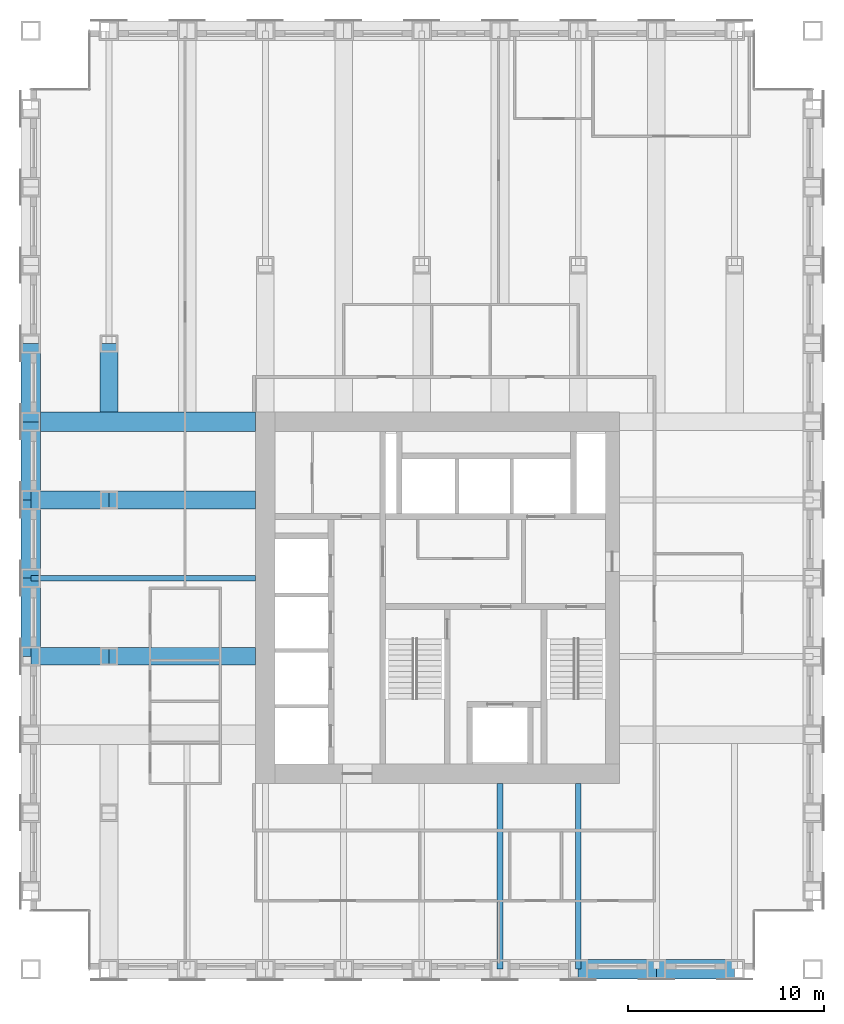
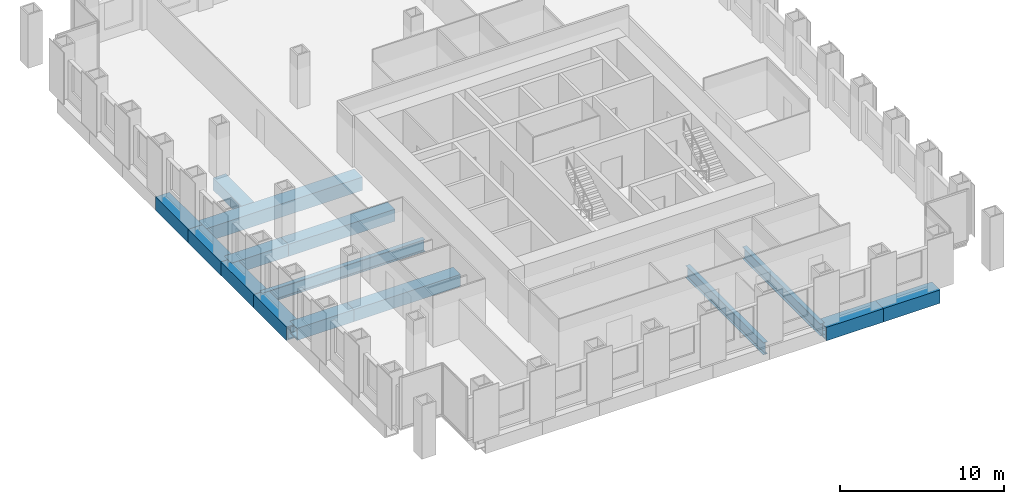
# One storey, part 3 of 13: 15 beams.
"""IFC4 building model written with IfcOpenShell, lengths in metres."""

import ifcopenshell
import ifcopenshell.guid

model = None  # the IFC model being written
_history = None  # IfcOwnerHistory: only IFC2X3 demands one
_inside = {}  # id of a spatial element -> (the spatial element, [elements in it])
_under = {}  # id of a project, library or spatial element -> (it, [spatial elements below it])
_declared = {}  # id of a project -> (the project, [libraries it declares])
_typed = {}  # id of a type object -> (the type object, [elements of that type])
_made_of = {}  # id of a material, layer set ... -> (it, [elements and type objects made of it])


def new_model(schema):
    """Start an empty IFC model of exactly this schema.

    Asked for "IFC4X3", IfcOpenShell would pick the latest addendum, in which some entities
    have other attributes; the version numbers below select the first issue.
    IFC2X3 requires an IfcOwnerHistory on every rooted entity: one is made here for all.
    """
    global model, _history
    if schema == "IFC4X3":
        model = ifcopenshell.file(schema_version=(4, 3, 0, 0))
    else:
        model = ifcopenshell.file(schema=schema)
    _inside.clear()
    _under.clear()
    _declared.clear()
    _typed.clear()
    _made_of.clear()
    _history = None
    if model.schema == "IFC2X3":
        org = make("IfcOrganization", Name="unknown")
        user = make(
            "IfcPersonAndOrganization",
            ThePerson=make("IfcPerson", FamilyName="unknown"),
            TheOrganization=org,
        )
        app = make(
            "IfcApplication",
            ApplicationDeveloper=org,
            Version="unknown",
            ApplicationFullName="unknown",
            ApplicationIdentifier="unknown",
        )
        _history = make(
            "IfcOwnerHistory",
            OwningUser=user,
            OwningApplication=app,
            ChangeAction="ADDED",
            CreationDate=0,
        )
    return model


def make(cls, **values):
    """One entity of the class cls with the attributes given. An attribute that is None is left unset."""
    return model.create_entity(
        cls, **{name: value for name, value in values.items() if value is not None}
    )


def rooted(cls, **values):
    """An entity with a GlobalId (a new one), such as an element, a storey or a relation."""
    return make(cls, GlobalId=ifcopenshell.guid.new(), OwnerHistory=_history, **values)


def si_unit(unit_type, name, prefix=None):
    """IfcSIUnit, for example si_unit("LENGTHUNIT", "METRE", prefix="MILLI")."""
    return make("IfcSIUnit", UnitType=unit_type, Prefix=prefix, Name=name)


def assignment(units):
    """IfcUnitAssignment: the units of a project."""
    return None if units is None else make("IfcUnitAssignment", Units=units)


def point(xyz):
    """IfcCartesianPoint."""
    return None if xyz is None else make("IfcCartesianPoint", Coordinates=xyz)


def direction(xyz):
    """IfcDirection."""
    return None if xyz is None else make("IfcDirection", DirectionRatios=xyz)


def frame(location, z_axis=None, x_axis=None):
    """IfcAxis2Placement3D, a coordinate frame: its origin and axes. An axis left out is left unset."""
    return make(
        "IfcAxis2Placement3D",
        Location=point(location),
        Axis=direction(z_axis),
        RefDirection=direction(x_axis),
    )


def frame_2d(location, x_axis=None):
    """IfcAxis2Placement2D, a coordinate frame in the plane: its origin and x axis."""
    return make(
        "IfcAxis2Placement2D", Location=point(location), RefDirection=direction(x_axis)
    )


def origin():
    """The frame at (0, 0, 0) with its axes left unset."""
    return frame((0.0, 0.0, 0.0))


def origin_2d():
    """The frame at (0, 0) in the plane with its x axis left unset."""
    return frame_2d((0.0, 0.0))


def place(relative_to, where):
    """IfcLocalPlacement: puts the frame where relative to a parent placement (None: the world)."""
    return make(
        "IfcLocalPlacement", PlacementRelTo=relative_to, RelativePlacement=where
    )


def context(
    kind, dimensions, precision=None, world=None, true_north=None, identifier=None
):
    """IfcGeometricRepresentationContext, for example the 3D "Model" context."""
    return make(
        "IfcGeometricRepresentationContext",
        ContextIdentifier=identifier,
        ContextType=kind,
        CoordinateSpaceDimension=dimensions,
        Precision=precision,
        WorldCoordinateSystem=world,
        TrueNorth=true_north,
    )


def subcontext(parent, identifier, kind, view, scale=None):
    """IfcGeometricRepresentationSubContext, for example "Body" below "Model"."""
    return make(
        "IfcGeometricRepresentationSubContext",
        ContextIdentifier=identifier,
        ContextType=kind,
        ParentContext=parent,
        TargetScale=scale,
        TargetView=view,
    )


def project(units=None, contexts=None):
    """IfcProject with its units and contexts."""
    return rooted(
        "IfcProject",
        Name="project",
        RepresentationContexts=contexts,
        UnitsInContext=assignment(units),
    )


def spatial(cls, under=None, at=None, **own):
    """A site, building, storey or space (cls), placed at a placement, below another one or the project."""
    s = rooted(cls, ObjectPlacement=at, **own)
    if under is not None:
        _under.setdefault(under.id(), (under, []))[1].append(s)
    return s


def profile(cls, at=None, kind="AREA", **sizes):
    """A parametric profile (cls). Its sizes go by their IFC names, for example OverallWidth=200.0."""
    return make(cls, ProfileType=kind, Position=at, **sizes)


def hollow_rectangle(**sizes):
    """IfcRectangleHollowProfileDef."""
    return profile("IfcRectangleHollowProfileDef", **sizes)


def i_section(**sizes):
    """IfcIShapeProfileDef."""
    return profile("IfcIShapeProfileDef", **sizes)


def extrude(swept, where, along, depth):
    """IfcExtrudedAreaSolid: the profile swept, set in the frame where, extruded along a direction by depth."""
    return make(
        "IfcExtrudedAreaSolid",
        SweptArea=swept,
        Position=where,
        ExtrudedDirection=direction(along),
        Depth=depth,
    )


def shape(context_of_items, identifier, shape_type, items):
    """IfcShapeRepresentation: the items that make up one representation, for example the "Body"."""
    return make(
        "IfcShapeRepresentation",
        ContextOfItems=context_of_items,
        RepresentationIdentifier=identifier,
        RepresentationType=shape_type,
        Items=items,
    )


def material(Name=None, Category=None):
    """IfcMaterial."""
    return make("IfcMaterial", Name=Name, Category=Category)


def material_profile(
    of_material, cross_section, Name=None, Category=None, Priority=None
):
    """IfcMaterialProfile: a cross section and its material."""
    return make(
        "IfcMaterialProfile",
        Name=Name,
        Material=of_material,
        Profile=cross_section,
        Priority=Priority,
        Category=Category,
    )


def profile_set(profiles, Name=None, composite=None):
    """IfcMaterialProfileSet."""
    return make(
        "IfcMaterialProfileSet",
        Name=Name,
        MaterialProfiles=profiles,
        CompositeProfile=composite,
    )


def made_of(thing, what):
    """Note that an element or type object is made of a material, layer set ...; save() writes the relation."""
    if what is not None:
        _made_of.setdefault(what.id(), (what, []))[1].append(thing)
    return thing


def type_object(cls, material=None, **own):
    """A type object (cls), such as IfcWallType, which elements share."""
    return made_of(rooted(cls, **own), material)


def element(
    cls,
    number,
    at=None,
    inside=None,
    cuts=None,
    type_object=None,
    material=None,
    context=None,
    identifier="Body",
    shape_type=None,
    held_by="IfcProductDefinitionShape",
    body=None,
    shapes=None,
    **own,
):
    """One element of the class cls, such as IfcWall. Its Tag is "e" and its number.

    at: its placement. inside: the storey or other place that contains it. cuts: it is an
    opening in that element (IfcRelVoidsElement). A single representation is given by context,
    identifier, shape_type and body (its items); several are given by shapes. held_by: the class
    of the entity that holds the representations. save() writes the other relations.
    """
    e = rooted(cls, Tag="e%d" % number, ObjectPlacement=at, **own)
    if body is not None:
        shapes = [shape(context, identifier, shape_type, body)]
    if shapes is not None:
        e.Representation = make(held_by, Representations=shapes)
    if inside is not None:
        _inside.setdefault(inside.id(), (inside, []))[1].append(e)
    if cuts is not None:
        rooted(
            "IfcRelVoidsElement", RelatingBuildingElement=cuts, RelatedOpeningElement=e
        )
    if type_object is not None:
        _typed.setdefault(type_object.id(), (type_object, []))[1].append(e)
    return made_of(e, material)


def aggregate(whole, parts):
    """IfcRelAggregates: a whole, such as a stair, and the parts it consists of."""
    return rooted("IfcRelAggregates", RelatingObject=whole, RelatedObjects=parts)


def save(model, path):
    """Write the relations noted so far, then the file.

    IfcRelAggregates (storeys below a building ...), IfcRelContainedInSpatialStructure (elements
    in a storey), IfcRelDefinesByType, IfcRelAssociatesMaterial and IfcRelDeclares: one each for
    every whole, place, type object, material and project.
    """
    for whole, parts in _under.values():
        aggregate(whole, parts)
    for where, things in _inside.values():
        rooted(
            "IfcRelContainedInSpatialStructure",
            RelatedElements=things,
            RelatingStructure=where,
        )
    for kind, things in _typed.values():
        rooted("IfcRelDefinesByType", RelatedObjects=things, RelatingType=kind)
    for what, things in _made_of.values():
        rooted("IfcRelAssociatesMaterial", RelatedObjects=things, RelatingMaterial=what)
    for by, libraries in _declared.values():
        rooted("IfcRelDeclares", RelatingContext=by, RelatedDefinitions=libraries)
    model.write(path)


model = new_model("IFC4")

# Units and contexts
model_context = context("Model", 3, precision=1e-05, world=origin(), true_north=direction((0.0, 1.0)))
body_context = subcontext(model_context, "Body", "Model", "MODEL_VIEW")
ifc_project = project(units=[si_unit("LENGTHUNIT", "METRE"), si_unit("AREAUNIT", "SQUARE_METRE"), si_unit("VOLUMEUNIT", "CUBIC_METRE"), si_unit("PLANEANGLEUNIT", "RADIAN"), si_unit("MASSUNIT", "GRAM", prefix="KILO")], contexts=[model_context])

# Site, building, storey
site_placement = place(None, origin())
site = spatial("IfcSite", under=ifc_project, at=site_placement, CompositionType="ELEMENT")
building_placement = place(site_placement, origin())
building = spatial("IfcBuilding", under=site, at=building_placement, Name="Rimbunsela Tower", CompositionType="ELEMENT")
storey_placement = place(building_placement, frame((0.0, 0.0, 195.800048828125)))
storey = spatial("IfcBuildingStorey", under=building, at=storey_placement, Name="L47", CompositionType="ELEMENT", Elevation=195.800048828125)

# Beams
ifc_material_1 = material(Name="Steel BJ 55 (fy 410 MPa)", Category="steel")
ifc_material_profile_1 = material_profile(ifc_material_1, hollow_rectangle(XDim=1.0, YDim=1.0, WallThickness=0.10009765625, at=origin_2d()), Name="BOX 1000x1000x100")
ifc_profile_set_1 = profile_set([ifc_material_profile_1], Name="Steel BJ 55 (fy 410 MPa)")
beam_type_1 = type_object("IfcBeamType", Name="Beam BOX 1000x1000x100", PredefinedType="BEAM", material=ifc_profile_set_1)
for number, where, z_axis, x_axis, name in (
    (1, (6.0, 24.0, -0.650146484375), (0.0, 1.0, 0.0), (-1.0, 0.0, 0.0), "Beam B3 L47"),
    (2, (6.0, 28.0, -0.650146484375), (0.0, 1.0, 0.0), (-1.0, 0.0, 0.0), "Beam B3 L47"),
    (3, (6.0, 32.0, -0.650146484375), (0.0, 1.0, 0.0), (-1.0, 0.0, 0.0), "Beam B3 L47"),
    (4, (6.0, 36.0, -0.650146484375), (0.0, 1.0, 0.0), (-1.0, 0.0, 0.0), "Beam B3 L47"),
):
    element("IfcBeam", number, at=place(storey_placement, frame(where, z_axis=z_axis, x_axis=x_axis)), inside=storey, type_object=beam_type_1, Name=name, PredefinedType="BEAM", context=body_context, shape_type="SweptSolid", body=[
        extrude(hollow_rectangle(XDim=1.0, YDim=1.0, WallThickness=0.10009765625, at=origin_2d()), origin(), (0.0, 0.0, 1.0), 4.0),
    ])
beam_1_placement = place(storey_placement, frame((6.0, 36.0, -0.650146484375), z_axis=(1.0, 0.0, 0.0), x_axis=(0.0, 1.0, 0.0)))
element("IfcBeam", 5, at=beam_1_placement, inside=storey, type_object=beam_type_1, Name="Beam B3 L47", PredefinedType="BEAM", context=body_context, shape_type="SweptSolid", body=[
    extrude(hollow_rectangle(XDim=1.0, YDim=1.0, WallThickness=0.10009765625, at=origin_2d()), origin(), (0.0, 0.0, 1.0), 11.5),
])
for number, where, z_axis, x_axis, name in (
    (6, (34.0, 8.0, -0.650146484375), (1.0, 0.0, 0.0), (0.0, 1.0, 0.0), "Beam B3 L47"),
    (7, (38.0, 8.0, -0.650146484375), (1.0, 0.0, 0.0), (0.0, 1.0, 0.0), "Beam B3 L47"),
):
    element("IfcBeam", number, at=place(storey_placement, frame(where, z_axis=z_axis, x_axis=x_axis)), inside=storey, type_object=beam_type_1, Name=name, PredefinedType="BEAM", context=body_context, shape_type="SweptSolid", body=[
        extrude(hollow_rectangle(XDim=1.0, YDim=1.0, WallThickness=0.10009765625, at=origin_2d()), origin(), (0.0, 0.0, 1.0), 4.0),
    ])
ifc_material_2 = material(Name="Steel BJ 55 (fy 410 MPa)", Category="steel")
ifc_material_profile_2 = material_profile(ifc_material_2, hollow_rectangle(XDim=0.89990234375, YDim=0.89990234375, WallThickness=0.06005859375, at=origin_2d()), Name="BOX 900x900x60")
ifc_profile_set_2 = profile_set([ifc_material_profile_2], Name="Steel BJ 55 (fy 410 MPa)")
beam_type_2 = type_object("IfcBeamType", Name="Beam BOX 900x900x60", PredefinedType="BEAM", material=ifc_profile_set_2)
for number, where, z_axis, x_axis, name in (
    (8, (6.0, 24.0, -0.60009765625), (1.0, 0.0, 0.0), (0.0, 1.0, 0.0), "Beam B1 L47"),
    (9, (6.0, 32.0, -0.60009765625), (1.0, 0.0, 0.0), (0.0, 1.0, 0.0), "Beam B1 L47"),
):
    element("IfcBeam", number, at=place(storey_placement, frame(where, z_axis=z_axis, x_axis=x_axis)), inside=storey, type_object=beam_type_2, Name=name, PredefinedType="BEAM", context=body_context, shape_type="SweptSolid", body=[
        extrude(hollow_rectangle(XDim=0.89990234375, YDim=0.89990234375, WallThickness=0.06005859375, at=origin_2d()), origin(), (0.0, 0.0, 1.0), 4.0),
    ])
for number, where, z_axis, x_axis, name in (
    (10, (10.0, 24.0, -0.60009765625), (1.0, 0.0, 0.0), (0.0, 1.0, 0.0), "Beam B1 L47"),
    (11, (10.0, 32.0, -0.60009765625), (1.0, 0.0, 0.0), (0.0, 1.0, 0.0), "Beam B1 L47"),
):
    element("IfcBeam", number, at=place(storey_placement, frame(where, z_axis=z_axis, x_axis=x_axis)), inside=storey, type_object=beam_type_2, Name=name, PredefinedType="BEAM", context=body_context, shape_type="SweptSolid", body=[
        extrude(hollow_rectangle(XDim=0.89990234375, YDim=0.89990234375, WallThickness=0.06005859375, at=origin_2d()), origin(), (0.0, 0.0, 1.0), 7.5),
    ])
beam_2_placement = place(storey_placement, frame((10.0, 36.5, -0.60009765625), z_axis=(0.0, 1.0, 0.0), x_axis=(-1.0, 0.0, 0.0)))
element("IfcBeam", 12, at=beam_2_placement, inside=storey, type_object=beam_type_2, Name="Beam B1 L47", PredefinedType="BEAM", context=body_context, shape_type="SweptSolid", body=[
    extrude(hollow_rectangle(XDim=0.89990234375, YDim=0.89990234375, WallThickness=0.06005859375, at=origin_2d()), origin(), (0.0, 0.0, 1.0), 3.5),
])
ifc_material_3 = material(Name="Steel BJ 55 (fy 410 MPa)", Category="steel")
ifc_material_profile_3 = material_profile(ifc_material_3, i_section(OverallWidth=0.300048828125, OverallDepth=0.89990234375, WebThickness=0.01611328125, FlangeThickness=0.028076171875, FilletRadius=0.028076171875, at=origin_2d()), Name="H 900x300x16x28")
ifc_profile_set_3 = profile_set([ifc_material_profile_3], Name="Steel BJ 55 (fy 410 MPa)")
beam_type_3 = type_object("IfcBeamType", Name="Beam H 900x300x16x28", PredefinedType="BEAM", material=ifc_profile_set_3)
beam_3_placement = place(storey_placement, frame((6.0, 28.0, -0.60009765625), z_axis=(1.0, 0.0, 0.0), x_axis=(0.0, 1.0, 0.0)))
element("IfcBeam", 13, at=beam_3_placement, inside=storey, type_object=beam_type_3, Name="Beam B2 L47", PredefinedType="BEAM", context=body_context, shape_type="SweptSolid", body=[
    extrude(i_section(OverallWidth=0.300048828125, OverallDepth=0.89990234375, WebThickness=0.01611328125, FlangeThickness=0.028076171875, FilletRadius=0.028076171875, at=origin_2d()), origin(), (0.0, 0.0, 1.0), 11.5),
])
for number, where, z_axis, x_axis, name in (
    (14, (30.0, 8.0, -0.60009765625), (0.0, 1.0, 0.0), (-1.0, 0.0, 0.0), "Beam B2 L47"),
    (15, (34.0, 8.0, -0.60009765625), (0.0, 1.0, 0.0), (-1.0, 0.0, 0.0), "Beam B2 L47"),
):
    element("IfcBeam", number, at=place(storey_placement, frame(where, z_axis=z_axis, x_axis=x_axis)), inside=storey, type_object=beam_type_3, Name=name, PredefinedType="BEAM", context=body_context, shape_type="SweptSolid", body=[
        extrude(i_section(OverallWidth=0.300048828125, OverallDepth=0.89990234375, WebThickness=0.01611328125, FlangeThickness=0.028076171875, FilletRadius=0.028076171875, at=origin_2d()), origin(), (0.0, 0.0, 1.0), 9.5),
    ])

save(model, "model.ifc")
